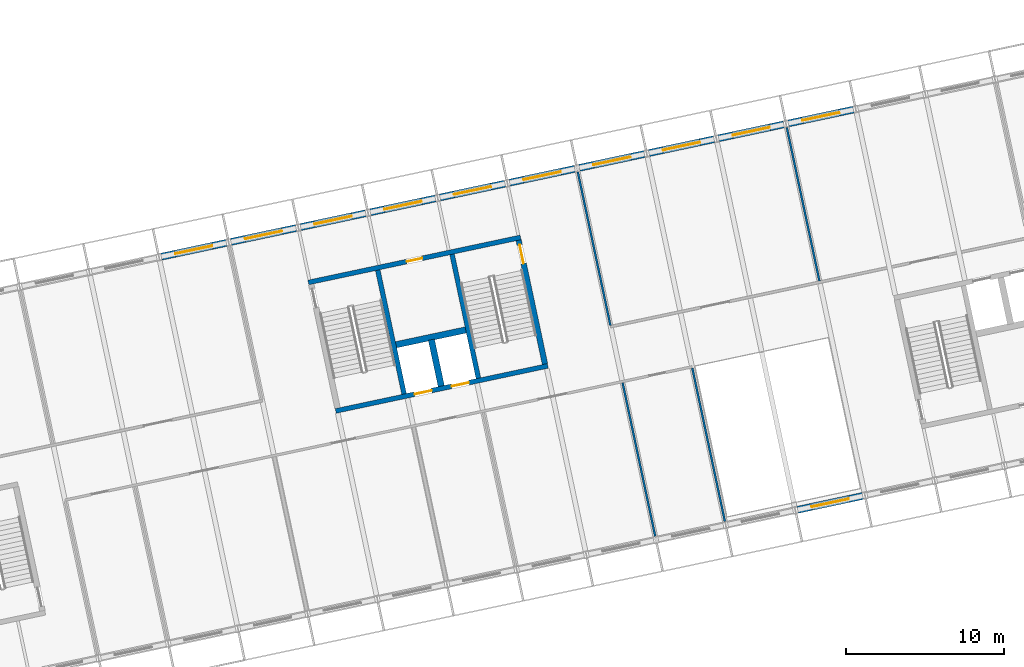
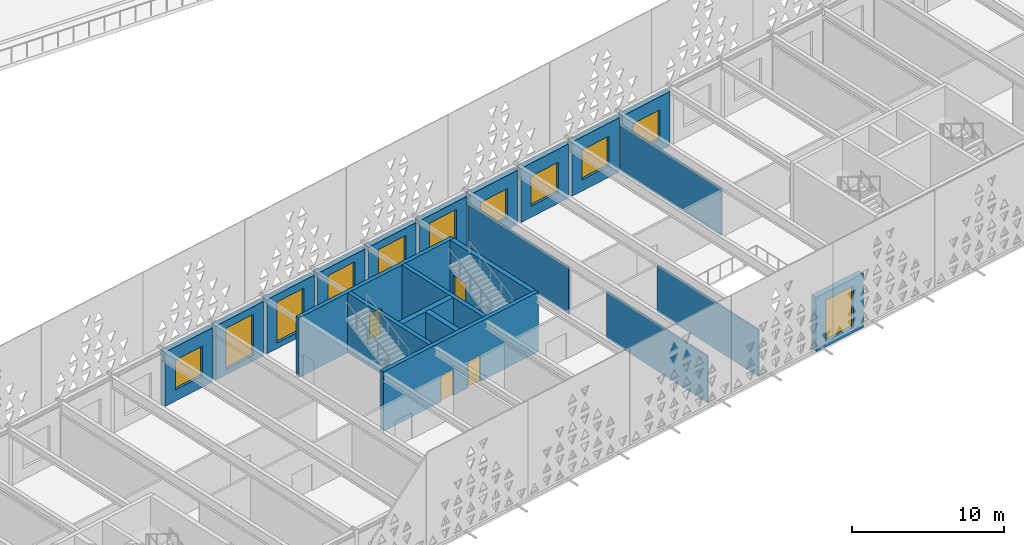
# One storey, part 118 of 196: 22 walls, 11 windows, 4 doors, 15 openings.
"""IFC4 building model written with IfcOpenShell, lengths in metres."""

from ifc_helpers import new_model, si_unit, direction, frame, frame_2d, origin, place, context, subcontext, project, spatial, rectangle, extrude, material, layer, layer_set, type_object, element, fill, save


model = new_model("IFC4")

# Units and contexts
model_context = context("Model", 3, precision=1e-05, world=origin(), true_north=direction((0.0, 1.0)))
body_context = subcontext(model_context, "Body", "Model", "MODEL_VIEW")
ifc_project = project(units=[si_unit("LENGTHUNIT", "METRE"), si_unit("AREAUNIT", "SQUARE_METRE"), si_unit("VOLUMEUNIT", "CUBIC_METRE"), si_unit("PLANEANGLEUNIT", "RADIAN"), si_unit("MASSUNIT", "GRAM", prefix="KILO")], contexts=[model_context])

# Site, building, storey
site_placement = place(None, origin())
site = spatial("IfcSite", under=ifc_project, at=site_placement, CompositionType="ELEMENT")
building_placement = place(site_placement, origin())
building = spatial("IfcBuilding", under=site, at=building_placement, Name="Okhra Congress Centre", CompositionType="ELEMENT")
storey_placement = place(building_placement, frame((0.0, 0.0, 12.0)))
storey = spatial("IfcBuildingStorey", under=building, at=storey_placement, Name="L02", CompositionType="ELEMENT", Elevation=12.0)

# Wall, opening, window
ifc_material_1 = material(Name="Insulated metal panel on steel stud (mineral wool, vapour barrier)", Category="steel")
ifc_layer_1 = layer(ifc_material_1, 0.449951171875)
ifc_layer_set_1 = layer_set([ifc_layer_1], Name="Insulated wall 450")
wall_type_1 = type_object("IfcWallType", Name="Insulated wall 450", PredefinedType="SOLIDWALL", material=ifc_layer_set_1)
wall_1_placement = place(storey_placement, frame((127.1826171875, 40.87451171875, 0.0), z_axis=(0.0, 0.0, 1.0), x_axis=(0.978146440129, 0.207917150959, 0.0)))
wall_1 = element("IfcWall", 1, at=wall_1_placement, inside=storey, type_object=wall_type_1, Name="External wall S16 L02", PredefinedType="SOLIDWALL", context=body_context, shape_type="SweptSolid", body=[
    extrude(rectangle(XDim=4.2001953125, YDim=0.449951171875, at=frame_2d((2.10009765625, 0.0))), origin(), (0.0, 0.0, 1.0), 4.35009765625),
])
opening_1_placement = place(wall_1_placement, frame((0.89990234375, 0.0, 0.449951171875)))
opening_1 = element("IfcOpeningElement", 2, at=opening_1_placement, cuts=wall_1, Name="Opening WN21", PredefinedType="OPENING", context=body_context, shape_type="SweptSolid", body=[
    extrude(rectangle(XDim=2.39990234375, YDim=3.300048828125, at=frame_2d((1.199951171875, 1.64990234375))), frame((0.0, 0.23486328125, 0.0), z_axis=(0.0, -1.0, 0.0), x_axis=(1.0, 0.0, 0.0)), (0.0, 0.0, 1.0), 0.469970703125),
])
ifc_material_2 = material(Name="Thermally broken aluminium frame, triple glazing", Category="aluminium")
window_type_1 = type_object("IfcWindowType", Name="Two-light window 2400x3300", PartitioningType="DOUBLE_PANEL_VERTICAL", PredefinedType="WINDOW", material=ifc_material_2)
window_1_placement = place(opening_1_placement, origin())
window_1 = element("IfcWindow", 3, at=window_1_placement, inside=storey, type_object=window_type_1, Name="BX.WIN.L02.16", OverallHeight=3.300048828125, OverallWidth=2.39990234375, PartitioningType="DOUBLE_PANEL_VERTICAL", PredefinedType="WINDOW", context=body_context, shape_type="SweptSolid", body=[
    extrude(rectangle(XDim=2.39990234375, YDim=3.300048828125, at=frame_2d((1.199951171875, 1.64990234375))), frame((0.0, 0.030029296875, 0.0), z_axis=(0.0, -1.0, 0.0), x_axis=(1.0, 0.0, 0.0)), (0.0, 0.0, 1.0), 0.06005859375),
])
fill(opening_1, window_1)

wall_2_placement = place(storey_placement, frame((86.9794921875, 56.865234375, 0.0), z_axis=(0.0, 0.0, 1.0), x_axis=(0.978143927149, 0.207928972925, 0.0)))
wall_2 = element("IfcWall", 4, at=wall_2_placement, inside=storey, type_object=wall_type_1, Name="External wall N8 L02", PredefinedType="SOLIDWALL", context=body_context, shape_type="SweptSolid", body=[
    extrude(rectangle(XDim=4.199951171875, YDim=0.449951171875, at=frame_2d((2.10009765625, 0.0))), origin(), (0.0, 0.0, 1.0), 4.35009765625),
])
opening_2_placement = place(wall_2_placement, frame((0.89990234375, 0.0, 0.89990234375)))
opening_2 = element("IfcOpeningElement", 5, at=opening_2_placement, cuts=wall_2, Name="Opening WN22", PredefinedType="OPENING", context=body_context, shape_type="SweptSolid", body=[
    extrude(rectangle(XDim=2.39990234375, YDim=2.39990234375, at=frame_2d((1.199951171875, 1.199951171875))), frame((0.0, 0.23486328125, 0.0), z_axis=(0.0, -1.0, 0.0), x_axis=(1.0, 0.0, 0.0)), (0.0, 0.0, 1.0), 0.469970703125),
])
window_type_2 = type_object("IfcWindowType", Name="Fixed window 2400x2400", PartitioningType="SINGLE_PANEL", PredefinedType="WINDOW", material=ifc_material_2)
window_2_placement = place(opening_2_placement, origin())
window_2 = element("IfcWindow", 6, at=window_2_placement, inside=storey, type_object=window_type_2, Name="BX.WIN.L02.44", OverallHeight=2.39990234375, OverallWidth=2.39990234375, PartitioningType="SINGLE_PANEL", PredefinedType="WINDOW", context=body_context, shape_type="SweptSolid", body=[
    extrude(rectangle(XDim=2.39990234375, YDim=2.39990234375, at=frame_2d((1.199951171875, 1.199951171875))), frame((0.0, 0.030029296875, 0.0), z_axis=(0.0, -1.0, 0.0), x_axis=(1.0, 0.0, 0.0)), (0.0, 0.0, 1.0), 0.06005859375),
])
fill(opening_2, window_2)

wall_3_placement = place(storey_placement, frame((91.381103515625, 57.80078125, 0.0), z_axis=(0.0, 0.0, 1.0), x_axis=(0.978143927149, 0.207928972925, 0.0)))
wall_3 = element("IfcWall", 7, at=wall_3_placement, inside=storey, type_object=wall_type_1, Name="External wall N9 L02", PredefinedType="SOLIDWALL", context=body_context, shape_type="SweptSolid", body=[
    extrude(rectangle(XDim=4.199951171875, YDim=0.449951171875, at=frame_2d((2.10009765625, 0.0))), origin(), (0.0, 0.0, 1.0), 4.35009765625),
])
opening_3_placement = place(wall_3_placement, frame((0.89990234375, 0.0, 0.449951171875)))
opening_3 = element("IfcOpeningElement", 8, at=opening_3_placement, cuts=wall_3, Name="Opening WN21", PredefinedType="OPENING", context=body_context, shape_type="SweptSolid", body=[
    extrude(rectangle(XDim=2.39990234375, YDim=3.300048828125, at=frame_2d((1.199951171875, 1.64990234375))), frame((0.0, 0.23486328125, 0.0), z_axis=(0.0, -1.0, 0.0), x_axis=(1.0, 0.0, 0.0)), (0.0, 0.0, 1.0), 0.469970703125),
])
window_3_placement = place(opening_3_placement, origin())
window_3 = element("IfcWindow", 9, at=window_3_placement, inside=storey, type_object=window_type_1, Name="BX.WIN.L02.45", OverallHeight=3.300048828125, OverallWidth=2.39990234375, PartitioningType="DOUBLE_PANEL_VERTICAL", PredefinedType="WINDOW", context=body_context, shape_type="SweptSolid", body=[
    extrude(rectangle(XDim=2.39990234375, YDim=3.300048828125, at=frame_2d((1.199951171875, 1.64990234375))), frame((0.0, 0.030029296875, 0.0), z_axis=(0.0, -1.0, 0.0), x_axis=(1.0, 0.0, 0.0)), (0.0, 0.0, 1.0), 0.06005859375),
])
fill(opening_3, window_3)

wall_4_placement = place(storey_placement, frame((95.78271484375, 58.736328125, 0.0), z_axis=(0.0, 0.0, 1.0), x_axis=(0.978146440129, 0.207917150959, 0.0)))
wall_4 = element("IfcWall", 10, at=wall_4_placement, inside=storey, type_object=wall_type_1, Name="External wall N10 L02", PredefinedType="SOLIDWALL", context=body_context, shape_type="SweptSolid", body=[
    extrude(rectangle(XDim=4.2001953125, YDim=0.449951171875, at=frame_2d((2.10009765625, 0.0))), origin(), (0.0, 0.0, 1.0), 4.35009765625),
])
opening_4_placement = place(wall_4_placement, frame((0.89990234375, 0.0, 0.449951171875)))
opening_4 = element("IfcOpeningElement", 11, at=opening_4_placement, cuts=wall_4, Name="Opening WN21", PredefinedType="OPENING", context=body_context, shape_type="SweptSolid", body=[
    extrude(rectangle(XDim=2.39990234375, YDim=3.300048828125, at=frame_2d((1.199951171875, 1.64990234375))), frame((0.0, 0.23486328125, 0.0), z_axis=(0.0, -1.0, 0.0), x_axis=(1.0, 0.0, 0.0)), (0.0, 0.0, 1.0), 0.469970703125),
])
window_4_placement = place(opening_4_placement, origin())
window_4 = element("IfcWindow", 12, at=window_4_placement, inside=storey, type_object=window_type_1, Name="BX.WIN.L02.46", OverallHeight=3.300048828125, OverallWidth=2.39990234375, PartitioningType="DOUBLE_PANEL_VERTICAL", PredefinedType="WINDOW", context=body_context, shape_type="SweptSolid", body=[
    extrude(rectangle(XDim=2.39990234375, YDim=3.300048828125, at=frame_2d((1.199951171875, 1.64990234375))), frame((0.0, 0.030029296875, 0.0), z_axis=(0.0, -1.0, 0.0), x_axis=(1.0, 0.0, 0.0)), (0.0, 0.0, 1.0), 0.06005859375),
])
fill(opening_4, window_4)

wall_5_placement = place(storey_placement, frame((100.1845703125, 59.671875, 0.0), z_axis=(0.0, 0.0, 1.0), x_axis=(0.978143927149, 0.207928972925, 0.0)))
wall_5 = element("IfcWall", 13, at=wall_5_placement, inside=storey, type_object=wall_type_1, Name="External wall N11 L02", PredefinedType="SOLIDWALL", context=body_context, shape_type="SweptSolid", body=[
    extrude(rectangle(XDim=4.199951171875, YDim=0.449951171875, at=frame_2d((2.10009765625, 0.0))), origin(), (0.0, 0.0, 1.0), 4.35009765625),
])
opening_5_placement = place(wall_5_placement, frame((0.89990234375, 0.0, 0.449951171875)))
opening_5 = element("IfcOpeningElement", 14, at=opening_5_placement, cuts=wall_5, Name="Opening WN21", PredefinedType="OPENING", context=body_context, shape_type="SweptSolid", body=[
    extrude(rectangle(XDim=2.39990234375, YDim=3.300048828125, at=frame_2d((1.199951171875, 1.64990234375))), frame((0.0, 0.23486328125, 0.0), z_axis=(0.0, -1.0, 0.0), x_axis=(1.0, 0.0, 0.0)), (0.0, 0.0, 1.0), 0.469970703125),
])
window_5_placement = place(opening_5_placement, origin())
window_5 = element("IfcWindow", 15, at=window_5_placement, inside=storey, type_object=window_type_1, Name="BX.WIN.L02.47", OverallHeight=3.300048828125, OverallWidth=2.39990234375, PartitioningType="DOUBLE_PANEL_VERTICAL", PredefinedType="WINDOW", context=body_context, shape_type="SweptSolid", body=[
    extrude(rectangle(XDim=2.39990234375, YDim=3.300048828125, at=frame_2d((1.199951171875, 1.64990234375))), frame((0.0, 0.030029296875, 0.0), z_axis=(0.0, -1.0, 0.0), x_axis=(1.0, 0.0, 0.0)), (0.0, 0.0, 1.0), 0.06005859375),
])
fill(opening_5, window_5)

wall_6_placement = place(storey_placement, frame((104.586181640625, 60.607666015625, 0.0), z_axis=(0.0, 0.0, 1.0), x_axis=(0.978155748334, 0.207873355681, 0.0)))
wall_6 = element("IfcWall", 16, at=wall_6_placement, inside=storey, type_object=wall_type_1, Name="External wall N12 L02", PredefinedType="SOLIDWALL", context=body_context, shape_type="SweptSolid", body=[
    extrude(rectangle(XDim=4.199951171875, YDim=0.449951171875, at=frame_2d((2.10009765625, 0.0))), origin(), (0.0, 0.0, 1.0), 4.35009765625),
])
opening_6_placement = place(wall_6_placement, frame((0.89990234375, 0.0, 0.449951171875)))
opening_6 = element("IfcOpeningElement", 17, at=opening_6_placement, cuts=wall_6, Name="Opening WN21", PredefinedType="OPENING", context=body_context, shape_type="SweptSolid", body=[
    extrude(rectangle(XDim=2.39990234375, YDim=3.300048828125, at=frame_2d((1.199951171875, 1.64990234375))), frame((0.0, 0.23486328125, 0.0), z_axis=(0.0, -1.0, 0.0), x_axis=(1.0, 0.0, 0.0)), (0.0, 0.0, 1.0), 0.469970703125),
])
window_6_placement = place(opening_6_placement, origin())
window_6 = element("IfcWindow", 18, at=window_6_placement, inside=storey, type_object=window_type_1, Name="BX.WIN.L02.48", OverallHeight=3.300048828125, OverallWidth=2.39990234375, PartitioningType="DOUBLE_PANEL_VERTICAL", PredefinedType="WINDOW", context=body_context, shape_type="SweptSolid", body=[
    extrude(rectangle(XDim=2.39990234375, YDim=3.300048828125, at=frame_2d((1.199951171875, 1.64990234375))), frame((0.0, 0.030029296875, 0.0), z_axis=(0.0, -1.0, 0.0), x_axis=(1.0, 0.0, 0.0)), (0.0, 0.0, 1.0), 0.06005859375),
])
fill(opening_6, window_6)

wall_7_placement = place(storey_placement, frame((108.98779296875, 61.543212890625, 0.0), z_axis=(0.0, 0.0, 1.0), x_axis=(0.978143927149, 0.207928972925, 0.0)))
wall_7 = element("IfcWall", 19, at=wall_7_placement, inside=storey, type_object=wall_type_1, Name="External wall N13 L02", PredefinedType="SOLIDWALL", context=body_context, shape_type="SweptSolid", body=[
    extrude(rectangle(XDim=4.199951171875, YDim=0.449951171875, at=frame_2d((2.10009765625, 0.0))), origin(), (0.0, 0.0, 1.0), 4.35009765625),
])
opening_7_placement = place(wall_7_placement, frame((0.89990234375, 0.0, 0.449951171875)))
opening_7 = element("IfcOpeningElement", 20, at=opening_7_placement, cuts=wall_7, Name="Opening WN21", PredefinedType="OPENING", context=body_context, shape_type="SweptSolid", body=[
    extrude(rectangle(XDim=2.39990234375, YDim=3.300048828125, at=frame_2d((1.199951171875, 1.64990234375))), frame((0.0, 0.23486328125, 0.0), z_axis=(0.0, -1.0, 0.0), x_axis=(1.0, 0.0, 0.0)), (0.0, 0.0, 1.0), 0.469970703125),
])
window_7_placement = place(opening_7_placement, origin())
window_7 = element("IfcWindow", 21, at=window_7_placement, inside=storey, type_object=window_type_1, Name="BX.WIN.L02.49", OverallHeight=3.300048828125, OverallWidth=2.39990234375, PartitioningType="DOUBLE_PANEL_VERTICAL", PredefinedType="WINDOW", context=body_context, shape_type="SweptSolid", body=[
    extrude(rectangle(XDim=2.39990234375, YDim=3.300048828125, at=frame_2d((1.199951171875, 1.64990234375))), frame((0.0, 0.030029296875, 0.0), z_axis=(0.0, -1.0, 0.0), x_axis=(1.0, 0.0, 0.0)), (0.0, 0.0, 1.0), 0.06005859375),
])
fill(opening_7, window_7)

wall_8_placement = place(storey_placement, frame((113.389404296875, 62.478759765625, 0.0), z_axis=(0.0, 0.0, 1.0), x_axis=(0.978146440129, 0.207917150959, 0.0)))
wall_8 = element("IfcWall", 22, at=wall_8_placement, inside=storey, type_object=wall_type_1, Name="External wall N14 L02", PredefinedType="SOLIDWALL", context=body_context, shape_type="SweptSolid", body=[
    extrude(rectangle(XDim=4.2001953125, YDim=0.449951171875, at=frame_2d((2.10009765625, 0.0))), origin(), (0.0, 0.0, 1.0), 4.35009765625),
])
opening_8_placement = place(wall_8_placement, frame((0.89990234375, 0.0, 0.89990234375)))
opening_8 = element("IfcOpeningElement", 23, at=opening_8_placement, cuts=wall_8, Name="Opening WN22", PredefinedType="OPENING", context=body_context, shape_type="SweptSolid", body=[
    extrude(rectangle(XDim=2.39990234375, YDim=2.39990234375, at=frame_2d((1.199951171875, 1.199951171875))), frame((0.0, 0.23486328125, 0.0), z_axis=(0.0, -1.0, 0.0), x_axis=(1.0, 0.0, 0.0)), (0.0, 0.0, 1.0), 0.469970703125),
])
window_8_placement = place(opening_8_placement, origin())
window_8 = element("IfcWindow", 24, at=window_8_placement, inside=storey, type_object=window_type_2, Name="BX.WIN.L02.50", OverallHeight=2.39990234375, OverallWidth=2.39990234375, PartitioningType="SINGLE_PANEL", PredefinedType="WINDOW", context=body_context, shape_type="SweptSolid", body=[
    extrude(rectangle(XDim=2.39990234375, YDim=2.39990234375, at=frame_2d((1.199951171875, 1.199951171875))), frame((0.0, 0.030029296875, 0.0), z_axis=(0.0, -1.0, 0.0), x_axis=(1.0, 0.0, 0.0)), (0.0, 0.0, 1.0), 0.06005859375),
])
fill(opening_8, window_8)

wall_9_placement = place(storey_placement, frame((117.791015625, 63.414306640625, 0.0), z_axis=(0.0, 0.0, 1.0), x_axis=(0.978146440129, 0.207917150959, 0.0)))
wall_9 = element("IfcWall", 25, at=wall_9_placement, inside=storey, type_object=wall_type_1, Name="External wall N15 L02", PredefinedType="SOLIDWALL", context=body_context, shape_type="SweptSolid", body=[
    extrude(rectangle(XDim=4.2001953125, YDim=0.449951171875, at=frame_2d((2.10009765625, 0.0))), origin(), (0.0, 0.0, 1.0), 4.35009765625),
])
opening_9_placement = place(wall_9_placement, frame((0.89990234375, 0.0, 0.89990234375)))
opening_9 = element("IfcOpeningElement", 26, at=opening_9_placement, cuts=wall_9, Name="Opening WN22", PredefinedType="OPENING", context=body_context, shape_type="SweptSolid", body=[
    extrude(rectangle(XDim=2.39990234375, YDim=2.39990234375, at=frame_2d((1.199951171875, 1.199951171875))), frame((0.0, 0.23486328125, 0.0), z_axis=(0.0, -1.0, 0.0), x_axis=(1.0, 0.0, 0.0)), (0.0, 0.0, 1.0), 0.469970703125),
])
window_9_placement = place(opening_9_placement, origin())
window_9 = element("IfcWindow", 27, at=window_9_placement, inside=storey, type_object=window_type_2, Name="BX.WIN.L02.51", OverallHeight=2.39990234375, OverallWidth=2.39990234375, PartitioningType="SINGLE_PANEL", PredefinedType="WINDOW", context=body_context, shape_type="SweptSolid", body=[
    extrude(rectangle(XDim=2.39990234375, YDim=2.39990234375, at=frame_2d((1.199951171875, 1.199951171875))), frame((0.0, 0.030029296875, 0.0), z_axis=(0.0, -1.0, 0.0), x_axis=(1.0, 0.0, 0.0)), (0.0, 0.0, 1.0), 0.06005859375),
])
fill(opening_9, window_9)

wall_10_placement = place(storey_placement, frame((122.19287109375, 64.35009765625, 0.0), z_axis=(0.0, 0.0, 1.0), x_axis=(0.978155748334, 0.207873355681, 0.0)))
wall_10 = element("IfcWall", 28, at=wall_10_placement, inside=storey, type_object=wall_type_1, Name="External wall N16 L02", PredefinedType="SOLIDWALL", context=body_context, shape_type="SweptSolid", body=[
    extrude(rectangle(XDim=4.199951171875, YDim=0.449951171875, at=frame_2d((2.10009765625, 0.0))), origin(), (0.0, 0.0, 1.0), 4.35009765625),
])
opening_10_placement = place(wall_10_placement, frame((0.89990234375, 0.0, 0.89990234375)))
opening_10 = element("IfcOpeningElement", 29, at=opening_10_placement, cuts=wall_10, Name="Opening WN22", PredefinedType="OPENING", context=body_context, shape_type="SweptSolid", body=[
    extrude(rectangle(XDim=2.39990234375, YDim=2.39990234375, at=frame_2d((1.199951171875, 1.199951171875))), frame((0.0, 0.23486328125, 0.0), z_axis=(0.0, -1.0, 0.0), x_axis=(1.0, 0.0, 0.0)), (0.0, 0.0, 1.0), 0.469970703125),
])
window_10_placement = place(opening_10_placement, origin())
window_10 = element("IfcWindow", 30, at=window_10_placement, inside=storey, type_object=window_type_2, Name="BX.WIN.L02.52", OverallHeight=2.39990234375, OverallWidth=2.39990234375, PartitioningType="SINGLE_PANEL", PredefinedType="WINDOW", context=body_context, shape_type="SweptSolid", body=[
    extrude(rectangle(XDim=2.39990234375, YDim=2.39990234375, at=frame_2d((1.199951171875, 1.199951171875))), frame((0.0, 0.030029296875, 0.0), z_axis=(0.0, -1.0, 0.0), x_axis=(1.0, 0.0, 0.0)), (0.0, 0.0, 1.0), 0.06005859375),
])
fill(opening_10, window_10)

wall_11_placement = place(storey_placement, frame((126.594482421875, 65.28564453125, 0.0), z_axis=(0.0, 0.0, 1.0), x_axis=(0.978143927149, 0.207928972925, 0.0)))
wall_11 = element("IfcWall", 31, at=wall_11_placement, inside=storey, type_object=wall_type_1, Name="External wall N17 L02", PredefinedType="SOLIDWALL", context=body_context, shape_type="SweptSolid", body=[
    extrude(rectangle(XDim=4.199951171875, YDim=0.449951171875, at=frame_2d((2.10009765625, 0.0))), origin(), (0.0, 0.0, 1.0), 4.35009765625),
])
opening_11_placement = place(wall_11_placement, frame((0.89990234375, 0.0, 0.89990234375)))
opening_11 = element("IfcOpeningElement", 32, at=opening_11_placement, cuts=wall_11, Name="Opening WN22", PredefinedType="OPENING", context=body_context, shape_type="SweptSolid", body=[
    extrude(rectangle(XDim=2.39990234375, YDim=2.39990234375, at=frame_2d((1.199951171875, 1.199951171875))), frame((0.0, 0.23486328125, 0.0), z_axis=(0.0, -1.0, 0.0), x_axis=(1.0, 0.0, 0.0)), (0.0, 0.0, 1.0), 0.469970703125),
])
window_11_placement = place(opening_11_placement, origin())
window_11 = element("IfcWindow", 33, at=window_11_placement, inside=storey, type_object=window_type_2, Name="BX.WIN.L02.53", OverallHeight=2.39990234375, OverallWidth=2.39990234375, PartitioningType="SINGLE_PANEL", PredefinedType="WINDOW", context=body_context, shape_type="SweptSolid", body=[
    extrude(rectangle(XDim=2.39990234375, YDim=2.39990234375, at=frame_2d((1.199951171875, 1.199951171875))), frame((0.0, 0.030029296875, 0.0), z_axis=(0.0, -1.0, 0.0), x_axis=(1.0, 0.0, 0.0)), (0.0, 0.0, 1.0), 0.06005859375),
])
fill(opening_11, window_11)

# Walls
ifc_material_3 = material(Name="Gypsum board on steel studs", Category="steel")
ifc_layer_2 = layer(ifc_material_3, 0.125)
ifc_layer_set_2 = layer_set([ifc_layer_2], Name="Partition 125")
wall_type_2 = type_object("IfcWallType", Name="Partition 125", PredefinedType="PARTITIONING", material=ifc_layer_set_2)
for number, where, z_axis, x_axis, name in (
    (34, (118.185791015625, 39.192138671875, 0.0), (0.0, 0.0, 1.0), (-0.207904355568, 0.978149159861, 0.0), "Partition S L02"),
    (35, (122.58740234375, 40.127685546875, 0.0), (0.0, 0.0, 1.0), (-0.207904355568, 0.978149159861, 0.0), "Partition S L02"),
):
    element("IfcWall", number, at=place(storey_placement, frame(where, z_axis=z_axis, x_axis=x_axis)), inside=storey, type_object=wall_type_2, Name=name, PredefinedType="PARTITIONING", context=body_context, shape_type="SweptSolid", body=[
        extrude(rectangle(XDim=9.925048828125, YDim=0.125, at=frame_2d((4.96240234375, 0.0))), origin(), (0.0, 0.0, 1.0), 3.75),
    ])
wall_12_placement = place(storey_placement, frame((113.28955078125, 62.2275390625, 0.0), z_axis=(0.0, 0.0, 1.0), x_axis=(0.20790935802, -0.978148096582, 0.0)))
element("IfcWall", 36, at=wall_12_placement, inside=storey, type_object=wall_type_2, Name="Partition N L02", PredefinedType="PARTITIONING", context=body_context, shape_type="SweptSolid", body=[
    extrude(rectangle(XDim=9.9248046875, YDim=0.125, at=frame_2d((4.96240234375, 0.0))), origin(), (0.0, 0.0, 1.0), 3.75),
])
wall_13_placement = place(storey_placement, frame((126.49462890625, 65.034423828125, 0.0), z_axis=(0.0, 0.0, 1.0), x_axis=(0.207904355568, -0.978149159861, 0.0)))
element("IfcWall", 37, at=wall_13_placement, inside=storey, type_object=wall_type_2, Name="Partition N L02", PredefinedType="PARTITIONING", context=body_context, shape_type="SweptSolid", body=[
    extrude(rectangle(XDim=9.925048828125, YDim=0.125, at=frame_2d((4.96240234375, 0.0))), origin(), (0.0, 0.0, 1.0), 3.75),
])

# Wall, opening, door
ifc_material_4 = material(Name="Concrete C35/45", Category="concrete")
ifc_layer_3 = layer(ifc_material_4, 0.300048828125)
ifc_layer_set_3 = layer_set([ifc_layer_3], Name="RC core wall 300 REI 120 C35/45")
wall_type_3 = type_object("IfcWallType", Name="RC core wall 300 REI 120 C35/45", PredefinedType="SHEAR", material=ifc_layer_set_3)
wall_14_placement = place(storey_placement, frame((96.271240234375, 55.236328125, 0.0), z_axis=(0.0, 0.0, 1.0), x_axis=(0.978147662755, 0.20791139903, 0.0)))
wall_14 = element("IfcWall", 38, at=wall_14_placement, inside=storey, type_object=wall_type_3, Name="BX.WALL.L02.K2S", PredefinedType="SHEAR", context=body_context, shape_type="SweptSolid", body=[
    extrude(rectangle(XDim=13.699951171875, YDim=0.300048828125, at=frame_2d((6.85009765625, 0.0))), origin(), (0.0, 0.0, 1.0), 4.800048828125),
])
opening_12_placement = place(wall_14_placement, frame((6.35009765625, 0.0, 0.0)))
opening_12 = element("IfcOpeningElement", 39, at=opening_12_placement, cuts=wall_14, Name="Opening L02-045", PredefinedType="OPENING", context=body_context, shape_type="SweptSolid", body=[
    extrude(rectangle(XDim=1.0, YDim=2.10009765625, at=frame_2d((0.5, 1.050048828125))), frame((0.0, 0.159912109375, 0.0), z_axis=(0.0, -1.0, 0.0), x_axis=(1.0, 0.0, 0.0)), (0.0, 0.0, 1.0), 0.320068359375),
])
ifc_material_5 = material(Name="Steel fire door leaf in steel frame, intumescent seals", Category="steel")
door_type_1 = type_object("IfcDoorType", Name="Steel fire door 1000x2100 EI 30", OperationType="NOTDEFINED", PredefinedType="DOOR", material=ifc_material_5)
door_1_placement = place(opening_12_placement, frame((1.0, 0.0, 0.0), z_axis=(0.0, 0.0, 1.0), x_axis=(-1.0, 0.0, 0.0)))
door_1 = element("IfcDoor", 40, at=door_1_placement, inside=storey, type_object=door_type_1, Name="Door L02-045", OperationType="SINGLE_SWING_LEFT", OverallHeight=2.10009765625, OverallWidth=1.0, PredefinedType="DOOR", context=body_context, shape_type="SweptSolid", body=[
    extrude(rectangle(XDim=1.0, YDim=2.10009765625, at=frame_2d((0.5, 1.050048828125))), frame((0.0, 0.02490234375, 0.0), z_axis=(0.0, -1.0, 0.0), x_axis=(1.0, 0.0, 0.0)), (0.0, 0.0, 1.0), 0.050048828125),
])
fill(opening_12, door_1)

# Wall, openings, doors
wall_15_placement = place(storey_placement, frame((97.996826171875, 47.117919921875, 0.0), z_axis=(0.0, 0.0, 1.0), x_axis=(0.978147662755, 0.20791139903, 0.0)))
wall_15 = element("IfcWall", 41, at=wall_15_placement, inside=storey, type_object=wall_type_3, Name="BX.WALL.L02.K2T", PredefinedType="SHEAR", context=body_context, shape_type="SweptSolid", body=[
    extrude(rectangle(XDim=13.699951171875, YDim=0.300048828125, at=frame_2d((6.85009765625, 0.0))), origin(), (0.0, 0.0, 1.0), 4.800048828125),
])
opening_13_placement = place(wall_15_placement, frame((5.10009765625, 0.0, 0.0)))
opening_13 = element("IfcOpeningElement", 42, at=opening_13_placement, cuts=wall_15, Name="Opening L02-041", PredefinedType="OPENING", context=body_context, shape_type="SweptSolid", body=[
    extrude(rectangle(XDim=1.10009765625, YDim=2.10009765625, at=frame_2d((0.550048828125, 1.050048828125))), frame((0.0, 0.159912109375, 0.0), z_axis=(0.0, -1.0, 0.0), x_axis=(1.0, 0.0, 0.0)), (0.0, 0.0, 1.0), 0.320068359375),
])
opening_14_placement = place(wall_15_placement, frame((7.5, 0.0, 0.0)))
opening_14 = element("IfcOpeningElement", 43, at=opening_14_placement, cuts=wall_15, Name="Opening L02-042", PredefinedType="OPENING", context=body_context, shape_type="SweptSolid", body=[
    extrude(rectangle(XDim=1.10009765625, YDim=2.10009765625, at=frame_2d((0.550048828125, 1.050048828125))), frame((0.0, 0.159912109375, 0.0), z_axis=(0.0, -1.0, 0.0), x_axis=(1.0, 0.0, 0.0)), (0.0, 0.0, 1.0), 0.320068359375),
])
ifc_material_6 = material(Name="Stainless steel sliding landing door leaves", Category="steel")
door_type_2 = type_object("IfcDoorType", Name="Lift landing door 1100x2100 EI 30", OperationType="DOUBLE_DOOR_SLIDING", PredefinedType="DOOR", material=ifc_material_6)
door_2_placement = place(opening_13_placement, frame((1.10009765625, 0.0, 0.0), z_axis=(0.0, 0.0, 1.0), x_axis=(-1.0, 0.0, 0.0)))
door_2 = element("IfcDoor", 44, at=door_2_placement, inside=storey, type_object=door_type_2, Name="Door L02-041", OperationType="DOUBLE_DOOR_SLIDING", OverallHeight=2.10009765625, OverallWidth=1.10009765625, PredefinedType="DOOR", context=body_context, shape_type="SweptSolid", body=[
    extrude(rectangle(XDim=1.10009765625, YDim=2.10009765625, at=frame_2d((0.550048828125, 1.050048828125))), frame((0.0, 0.02490234375, 0.0), z_axis=(0.0, -1.0, 0.0), x_axis=(1.0, 0.0, 0.0)), (0.0, 0.0, 1.0), 0.050048828125),
])
fill(opening_13, door_2)
door_3_placement = place(opening_14_placement, frame((1.10009765625, 0.0, 0.0), z_axis=(0.0, 0.0, 1.0), x_axis=(-1.0, 0.0, 0.0)))
door_3 = element("IfcDoor", 45, at=door_3_placement, inside=storey, type_object=door_type_2, Name="Door L02-042", OperationType="DOUBLE_DOOR_SLIDING", OverallHeight=2.10009765625, OverallWidth=1.10009765625, PredefinedType="DOOR", context=body_context, shape_type="SweptSolid", body=[
    extrude(rectangle(XDim=1.10009765625, YDim=2.10009765625, at=frame_2d((0.550048828125, 1.050048828125))), frame((0.0, 0.02490234375, 0.0), z_axis=(0.0, -1.0, 0.0), x_axis=(1.0, 0.0, 0.0)), (0.0, 0.0, 1.0), 0.050048828125),
])
fill(opening_14, door_3)

# Walls
for number, where, z_axis, x_axis, name in (
    (46, (100.655029296875, 56.014892578125, 0.0), (0.0, 0.0, 1.0), (0.207915693476, -0.978146749934, 0.0), "BX.WALL.L02.K2P1"),
    (47, (105.35009765625, 57.012939453125, 0.0), (0.0, 0.0, 1.0), (0.207915693476, -0.978146749934, 0.0), "BX.WALL.L02.K2P2"),
):
    element("IfcWall", number, at=place(storey_placement, frame(where, z_axis=z_axis, x_axis=x_axis)), inside=storey, type_object=wall_type_3, Name=name, PredefinedType="SHEAR", context=body_context, shape_type="SweptSolid", body=[
        extrude(rectangle(XDim=8.0, YDim=0.300048828125, at=frame_2d((4.0, 0.0))), origin(), (0.0, 0.0, 1.0), 4.800048828125),
    ])
ifc_layer_4 = layer(ifc_material_4, 0.39990234375)
ifc_layer_set_4 = layer_set([ifc_layer_4], Name="RC core wall 400 REI 120 C35/45")
wall_type_4 = type_object("IfcWallType", Name="RC core wall 400 REI 120 C35/45", PredefinedType="SHEAR", material=ifc_layer_set_4)
wall_16_placement = place(storey_placement, frame((104.042236328125, 51.623291015625, 0.0), z_axis=(0.0, 0.0, 1.0), x_axis=(0.207917150959, -0.978146440129, 0.0)))
element("IfcWall", 48, at=wall_16_placement, inside=storey, type_object=wall_type_4, Name="BX.WALL.L02.K2D", PredefinedType="SHEAR", context=body_context, shape_type="SweptSolid", body=[
    extrude(rectangle(XDim=3.000244140625, YDim=0.39990234375, at=frame_2d((1.5, 0.0))), origin(), (0.0, 0.0, 1.0), 4.800048828125),
])
wall_17_placement = place(storey_placement, frame((101.810302734375, 51.302001953125, 0.0), z_axis=(0.0, 0.0, 1.0), x_axis=(0.978138577198, 0.207954138688, 0.0)))
element("IfcWall", 49, at=wall_17_placement, inside=storey, type_object=wall_type_4, Name="BX.WALL.L02.K2R", PredefinedType="SHEAR", context=body_context, shape_type="SweptSolid", body=[
    extrude(rectangle(XDim=4.5, YDim=0.39990234375, at=frame_2d((2.25, 0.0))), origin(), (0.0, 0.0, 1.0), 4.800048828125),
])

# Wall, opening, door
ifc_material_7 = material(Name="Concrete C30/37", Category="concrete")
ifc_layer_5 = layer(ifc_material_7, 0.35009765625)
ifc_layer_set_5 = layer_set([ifc_layer_5], Name="RC wall 350 REI 120 C30/37")
wall_type_5 = type_object("IfcWallType", Name="RC wall 350 REI 120 C30/37", PredefinedType="SOLIDWALL", material=ifc_layer_set_5)
wall_18_placement = place(storey_placement, frame((109.55615234375, 57.906982421875, 0.0), z_axis=(0.0, 0.0, 1.0), x_axis=(0.207915693476, -0.978146749934, 0.0)))
wall_18 = element("IfcWall", 50, at=wall_18_placement, inside=storey, type_object=wall_type_5, Name="BX.WALL.L02.K2E", PredefinedType="SOLIDWALL", context=body_context, shape_type="SweptSolid", body=[
    extrude(rectangle(XDim=8.0, YDim=0.35009765625, at=frame_2d((4.0, 0.0))), origin(), (0.0, 0.0, 1.0), 4.800048828125),
])
opening_15_placement = place(wall_18_placement, frame((0.300048828125, 0.0, 0.0)))
opening_15 = element("IfcOpeningElement", 51, at=opening_15_placement, cuts=wall_18, Name="Opening L02-044", PredefinedType="OPENING", context=body_context, shape_type="SweptSolid", body=[
    extrude(rectangle(XDim=1.199951171875, YDim=2.10009765625, at=frame_2d((0.60009765625, 1.050048828125))), frame((0.0, 0.18505859375, 0.0), z_axis=(0.0, -1.0, 0.0), x_axis=(1.0, 0.0, 0.0)), (0.0, 0.0, 1.0), 0.3701171875),
])
door_type_3 = type_object("IfcDoorType", Name="Steel fire door 1200x2100 EI 30", OperationType="NOTDEFINED", PredefinedType="DOOR", material=ifc_material_5)
door_4_placement = place(opening_15_placement, origin())
door_4 = element("IfcDoor", 52, at=door_4_placement, inside=storey, type_object=door_type_3, Name="Door L02-044", OperationType="SINGLE_SWING_RIGHT", OverallHeight=2.10009765625, OverallWidth=1.199951171875, PredefinedType="DOOR", context=body_context, shape_type="SweptSolid", body=[
    extrude(rectangle(XDim=1.199951171875, YDim=2.10009765625, at=frame_2d((0.60009765625, 1.050048828125))), frame((0.0, 0.02490234375, 0.0), z_axis=(0.0, -1.0, 0.0), x_axis=(1.0, 0.0, 0.0)), (0.0, 0.0, 1.0), 0.050048828125),
])
fill(opening_15, door_4)

save(model, "model.ifc")
